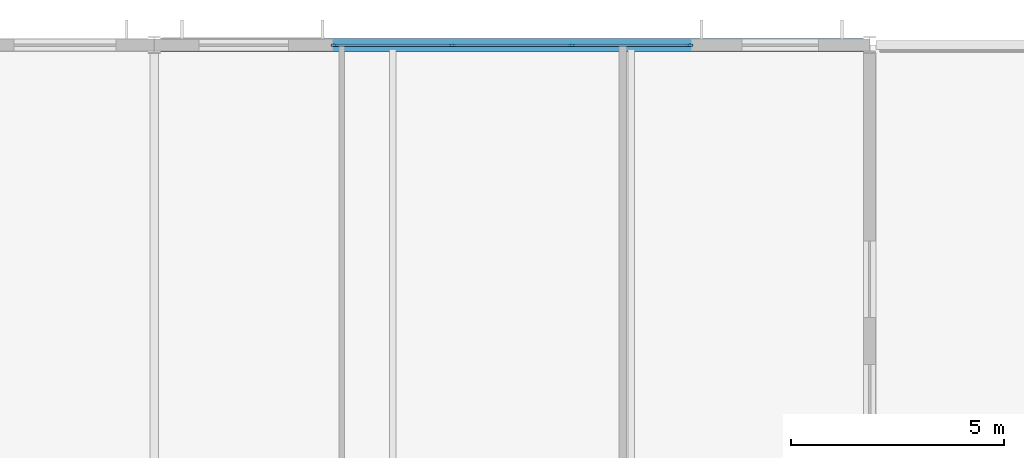
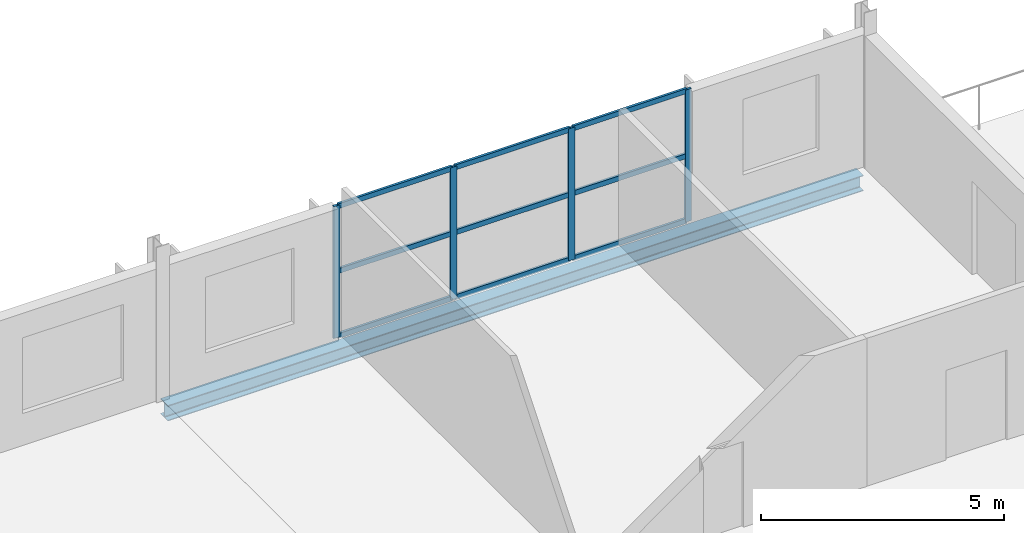
# One storey, part 24 of 36: 13 members, 1 beam, 1 element without a shape of its own.
"""IFC4 building model written with IfcOpenShell, lengths in metres."""

from ifc_helpers import new_model, si_unit, direction, frame, origin, origin_2d, place, context, subcontext, project, spatial, rectangle, i_section, extrude, material, material_profile, profile_set, type_object, element, aggregate, save


model = new_model("IFC4")

# Units and contexts
model_context = context("Model", 3, precision=1e-05, world=origin(), true_north=direction((0.0, 1.0)))
body_context = subcontext(model_context, "Body", "Model", "MODEL_VIEW")
ifc_project = project(units=[si_unit("LENGTHUNIT", "METRE"), si_unit("AREAUNIT", "SQUARE_METRE"), si_unit("VOLUMEUNIT", "CUBIC_METRE"), si_unit("PLANEANGLEUNIT", "RADIAN"), si_unit("MASSUNIT", "GRAM", prefix="KILO")], contexts=[model_context])

# Site, building, storey
site_placement = place(None, origin())
site = spatial("IfcSite", under=ifc_project, at=site_placement, CompositionType="ELEMENT")
building_placement = place(site_placement, origin())
building = spatial("IfcBuilding", under=site, at=building_placement, Name="Kimbaza Rail Terminus", CompositionType="ELEMENT")
storey_placement = place(building_placement, frame((0.0, 0.0, 21.0)))
storey = spatial("IfcBuildingStorey", under=building, at=storey_placement, Name="L04", CompositionType="ELEMENT", Elevation=21.0)

# Curtain wall, members
ifc_material_1 = material(Name="Anodised aluminium framing and solar low-E glazing", Category="aluminium")
curtain_wall_type = type_object("IfcCurtainWallType", Name="ARC-CW-OP2", PredefinedType="USERDEFINED", material=ifc_material_1)
curtain_wall_placement = place(storey_placement, origin())
curtain_wall = element("IfcCurtainWall", 1, at=curtain_wall_placement, inside=storey, type_object=curtain_wall_type, Name="Operations North Curtain Wall L04 Bay 5", ObjectType="STICK CURTAIN WALL", PredefinedType="USERDEFINED")
ifc_material_2 = material(Name="Anodised architectural aluminium", Category="aluminium")
ifc_material_profile_1 = material_profile(ifc_material_2, rectangle(XDim=0.05810546875, YDim=0.14990234375, at=origin_2d()), Name="MULLION 58x150")
ifc_profile_set_1 = profile_set([ifc_material_profile_1], Name="Anodised architectural aluminium")
member_type_1 = type_object("IfcMemberType", Name="ARC-CWM-06", PredefinedType="MULLION", material=ifc_profile_set_1)
member_1_placement = place(storey_placement, frame((126.62890625, 133.0, 0.0), z_axis=(0.0, 0.0, 1.0), x_axis=(0.0, 1.0, 0.0)))
member_1 = element("IfcMember", 2, at=member_1_placement, type_object=member_type_1, Name="CW-06 mullion 1", PredefinedType="MULLION", context=body_context, shape_type="SweptSolid", body=[
    extrude(rectangle(XDim=0.05810546875, YDim=0.14990234375, at=origin_2d()), origin(), (0.0, 0.0, 1.0), 3.31494140625),
])
member_2_placement = place(storey_placement, frame((129.39990234375, 133.0, 0.0), z_axis=(0.0, 0.0, 1.0), x_axis=(0.0, 1.0, 0.0)))
member_2 = element("IfcMember", 3, at=member_2_placement, type_object=member_type_1, Name="CW-06 mullion 2", PredefinedType="MULLION", context=body_context, shape_type="SweptSolid", body=[
    extrude(rectangle(XDim=0.05810546875, YDim=0.14990234375, at=origin_2d()), origin(), (0.0, 0.0, 1.0), 3.31494140625),
])
member_3_placement = place(storey_placement, frame((132.199951171875, 133.0, 0.0), z_axis=(0.0, 0.0, 1.0), x_axis=(0.0, 1.0, 0.0)))
member_3 = element("IfcMember", 4, at=member_3_placement, type_object=member_type_1, Name="CW-06 mullion 3", PredefinedType="MULLION", context=body_context, shape_type="SweptSolid", body=[
    extrude(rectangle(XDim=0.05810546875, YDim=0.14990234375, at=origin_2d()), origin(), (0.0, 0.0, 1.0), 3.31494140625),
])
member_4_placement = place(storey_placement, frame((134.970947265625, 133.0, 0.0), z_axis=(0.0, 0.0, 1.0), x_axis=(0.0, 1.0, 0.0)))
member_4 = element("IfcMember", 5, at=member_4_placement, type_object=member_type_1, Name="CW-06 mullion 4", PredefinedType="MULLION", context=body_context, shape_type="SweptSolid", body=[
    extrude(rectangle(XDim=0.05810546875, YDim=0.14990234375, at=origin_2d()), origin(), (0.0, 0.0, 1.0), 3.31494140625),
])
ifc_material_3 = material(Name="Anodised architectural aluminium", Category="aluminium")
ifc_material_profile_2 = material_profile(ifc_material_3, rectangle(XDim=0.05810546875, YDim=0.125, at=origin_2d()), Name="TRANSOM 58x125")
ifc_profile_set_2 = profile_set([ifc_material_profile_2], Name="Anodised architectural aluminium")
member_type_2 = type_object("IfcMemberType", Name="ARC-CWT-06", PredefinedType="USERDEFINED", material=ifc_profile_set_2)
member_5_placement = place(storey_placement, frame((126.657958984375, 133.0, 0.029052734375), z_axis=(1.0, 0.0, 0.0), x_axis=(0.0, 1.0, 0.0)))
member_5 = element("IfcMember", 6, at=member_5_placement, type_object=member_type_2, Name="CW-06 transom 1.1", ObjectType="TRANSOM", PredefinedType="USERDEFINED", context=body_context, shape_type="SweptSolid", body=[
    extrude(rectangle(XDim=0.05810546875, YDim=0.125, at=origin_2d()), origin(), (0.0, 0.0, 1.0), 2.713134765625),
])
member_6_placement = place(storey_placement, frame((126.657958984375, 133.0, 1.657470703125), z_axis=(1.0, 0.0, 0.0), x_axis=(0.0, 1.0, 0.0)))
member_6 = element("IfcMember", 7, at=member_6_placement, type_object=member_type_2, Name="CW-06 transom 1.2", ObjectType="TRANSOM", PredefinedType="USERDEFINED", context=body_context, shape_type="SweptSolid", body=[
    extrude(rectangle(XDim=0.05810546875, YDim=0.125, at=origin_2d()), origin(), (0.0, 0.0, 1.0), 2.713134765625),
])
member_7_placement = place(storey_placement, frame((126.657958984375, 133.0, 3.285888671875), z_axis=(1.0, 0.0, 0.0), x_axis=(0.0, 1.0, 0.0)))
member_7 = element("IfcMember", 8, at=member_7_placement, type_object=member_type_2, Name="CW-06 transom 1.3", ObjectType="TRANSOM", PredefinedType="USERDEFINED", context=body_context, shape_type="SweptSolid", body=[
    extrude(rectangle(XDim=0.05810546875, YDim=0.125, at=origin_2d()), origin(), (0.0, 0.0, 1.0), 2.713134765625),
])
member_8_placement = place(storey_placement, frame((129.428955078125, 133.0, 0.029052734375), z_axis=(1.0, 0.0, 0.0), x_axis=(0.0, 1.0, 0.0)))
member_8 = element("IfcMember", 9, at=member_8_placement, type_object=member_type_2, Name="CW-06 transom 2.1", ObjectType="TRANSOM", PredefinedType="USERDEFINED", context=body_context, shape_type="SweptSolid", body=[
    extrude(rectangle(XDim=0.05810546875, YDim=0.125, at=origin_2d()), origin(), (0.0, 0.0, 1.0), 2.741943359375),
])
member_9_placement = place(storey_placement, frame((129.428955078125, 133.0, 1.657470703125), z_axis=(1.0, 0.0, 0.0), x_axis=(0.0, 1.0, 0.0)))
member_9 = element("IfcMember", 10, at=member_9_placement, type_object=member_type_2, Name="CW-06 transom 2.2", ObjectType="TRANSOM", PredefinedType="USERDEFINED", context=body_context, shape_type="SweptSolid", body=[
    extrude(rectangle(XDim=0.05810546875, YDim=0.125, at=origin_2d()), origin(), (0.0, 0.0, 1.0), 2.741943359375),
])
member_10_placement = place(storey_placement, frame((129.428955078125, 133.0, 3.285888671875), z_axis=(1.0, 0.0, 0.0), x_axis=(0.0, 1.0, 0.0)))
member_10 = element("IfcMember", 11, at=member_10_placement, type_object=member_type_2, Name="CW-06 transom 2.3", ObjectType="TRANSOM", PredefinedType="USERDEFINED", context=body_context, shape_type="SweptSolid", body=[
    extrude(rectangle(XDim=0.05810546875, YDim=0.125, at=origin_2d()), origin(), (0.0, 0.0, 1.0), 2.741943359375),
])
member_11_placement = place(storey_placement, frame((132.22900390625, 133.0, 0.029052734375), z_axis=(1.0, 0.0, 0.0), x_axis=(0.0, 1.0, 0.0)))
member_11 = element("IfcMember", 12, at=member_11_placement, type_object=member_type_2, Name="CW-06 transom 3.1", ObjectType="TRANSOM", PredefinedType="USERDEFINED", context=body_context, shape_type="SweptSolid", body=[
    extrude(rectangle(XDim=0.05810546875, YDim=0.125, at=origin_2d()), origin(), (0.0, 0.0, 1.0), 2.712890625),
])
member_12_placement = place(storey_placement, frame((132.22900390625, 133.0, 1.657470703125), z_axis=(1.0, 0.0, 0.0), x_axis=(0.0, 1.0, 0.0)))
member_12 = element("IfcMember", 13, at=member_12_placement, type_object=member_type_2, Name="CW-06 transom 3.2", ObjectType="TRANSOM", PredefinedType="USERDEFINED", context=body_context, shape_type="SweptSolid", body=[
    extrude(rectangle(XDim=0.05810546875, YDim=0.125, at=origin_2d()), origin(), (0.0, 0.0, 1.0), 2.712890625),
])
member_13_placement = place(storey_placement, frame((132.22900390625, 133.0, 3.285888671875), z_axis=(1.0, 0.0, 0.0), x_axis=(0.0, 1.0, 0.0)))
member_13 = element("IfcMember", 14, at=member_13_placement, type_object=member_type_2, Name="CW-06 transom 3.3", ObjectType="TRANSOM", PredefinedType="USERDEFINED", context=body_context, shape_type="SweptSolid", body=[
    extrude(rectangle(XDim=0.05810546875, YDim=0.125, at=origin_2d()), origin(), (0.0, 0.0, 1.0), 2.712890625),
])
aggregate(curtain_wall, [member_1, member_2, member_3, member_4, member_5, member_6, member_7, member_8, member_9, member_10, member_11, member_12, member_13])

# Beam
ifc_material_4 = material(Name="Steel S355", Category="steel")
ifc_material_profile_3 = material_profile(ifc_material_4, i_section(OverallWidth=0.300048828125, OverallDepth=0.389892578125, WebThickness=0.010986328125, FlangeThickness=0.01904296875, FilletRadius=0.027099609375, at=origin_2d()), Name="HEA 400")
ifc_profile_set_3 = profile_set([ifc_material_profile_3], Name="Steel S355")
beam_type = type_object("IfcBeamType", Name="STR-BM-HEA400", PredefinedType="SPANDREL", material=ifc_profile_set_3)
beam_placement = place(storey_placement, frame((122.5458984375, 133.0, -0.39501953125), z_axis=(1.0, 0.0, 0.0), x_axis=(0.0, 1.0, 0.0)))
element("IfcBeam", 15, at=beam_placement, inside=storey, type_object=beam_type, Name="Operations Girder L04 X4-Y2", PredefinedType="SPANDREL", context=body_context, shape_type="SweptSolid", body=[
    extrude(i_section(OverallWidth=0.300048828125, OverallDepth=0.389892578125, WebThickness=0.010986328125, FlangeThickness=0.01904296875, FilletRadius=0.027099609375, at=origin_2d()), origin(), (0.0, 0.0, 1.0), 16.508056640625),
])

save(model, "model.ifc")
